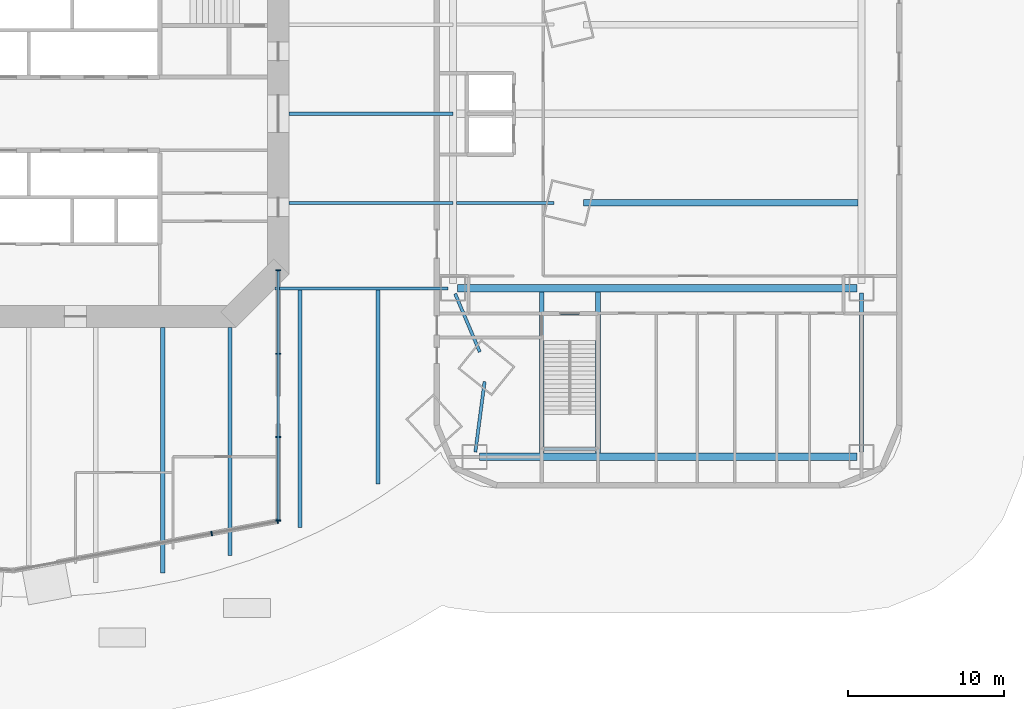
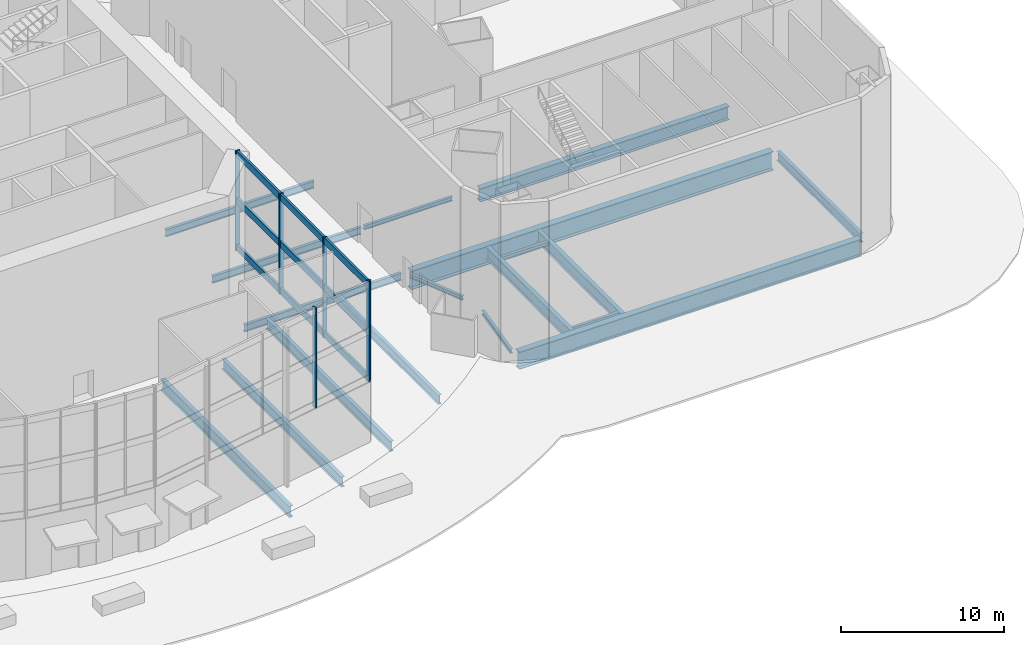
# One storey, part 6 of 23: 18 beams, 9 members, 2 elements without a shape of their own.
"""IFC4 building model written with IfcOpenShell, lengths in metres."""

from ifc_helpers import new_model, si_unit, direction, frame, origin, origin_2d, place, context, subcontext, project, spatial, rectangle, i_section, extrude, material, material_profile, profile_set, type_object, element, aggregate, save


model = new_model("IFC4")

# Units and contexts
model_context = context("Model", 3, precision=1e-05, world=origin(), true_north=direction((0.0, 1.0)))
body_context = subcontext(model_context, "Body", "Model", "MODEL_VIEW")
ifc_project = project(units=[si_unit("LENGTHUNIT", "METRE"), si_unit("AREAUNIT", "SQUARE_METRE"), si_unit("VOLUMEUNIT", "CUBIC_METRE"), si_unit("PLANEANGLEUNIT", "RADIAN"), si_unit("MASSUNIT", "GRAM", prefix="KILO")], contexts=[model_context])

# Site, building, storey
site_placement = place(None, origin())
site = spatial("IfcSite", under=ifc_project, at=site_placement, CompositionType="ELEMENT")
building_placement = place(site_placement, origin())
building = spatial("IfcBuilding", under=site, at=building_placement, Name="Marenthal Gate Tower", CompositionType="ELEMENT")
storey_placement = place(building_placement, origin())
storey = spatial("IfcBuildingStorey", under=building, at=storey_placement, Name="L00", CompositionType="ELEMENT", Elevation=0.0)

# Curtain wall, members
ifc_material_1 = material(Name="Aluminium and glass", Category="aluminium")
curtain_wall_type = type_object("IfcCurtainWallType", Name="Curtain wall arch infill", PredefinedType="NOTDEFINED", material=ifc_material_1)
curtain_wall_1_placement = place(storey_placement, origin())
curtain_wall_1 = element("IfcCurtainWall", 1, at=curtain_wall_1_placement, inside=storey, type_object=curtain_wall_type, Name="Curtain wall L00 arch S4", PredefinedType="NOTDEFINED")
ifc_material_2 = material(Name="Aluminium", Category="aluminium")
ifc_material_profile_1 = material_profile(ifc_material_2, rectangle(XDim=0.300048828125, YDim=0.080078125, at=origin_2d()), Name="80x300 aluminium mullion")
ifc_profile_set_1 = profile_set([ifc_material_profile_1], Name="Aluminium")
member_type_1 = type_object("IfcMemberType", Name="Mullion 80x300 arch infill", PredefinedType="MULLION", material=ifc_profile_set_1)
member_1_placement = place(storey_placement, frame((11.730224609375, -26.913818359375, 4.5), z_axis=(0.0, 0.0, 1.0), x_axis=(-0.183356787375, 0.983046432537, 0.0)))
member_1 = element("IfcMember", 2, at=member_1_placement, type_object=member_type_1, Name="Mullion L00 arch S4.4", PredefinedType="MULLION", context=body_context, shape_type="SweptSolid", body=[
    extrude(rectangle(XDim=0.300048828125, YDim=0.080078125, at=origin_2d()), origin(), (0.0, 0.0, 1.0), 7.5),
])
member_2_placement = place(storey_placement, frame((15.960693359375, -26.124755859375, 4.5), z_axis=(0.0, 0.0, 1.0), x_axis=(-0.183356787375, 0.983046432537, 0.0)))
member_2 = element("IfcMember", 3, at=member_2_placement, type_object=member_type_1, Name="Mullion L00 arch S4.5", PredefinedType="MULLION", context=body_context, shape_type="SweptSolid", body=[
    extrude(rectangle(XDim=0.300048828125, YDim=0.080078125, at=origin_2d()), origin(), (0.0, 0.0, 1.0), 7.5),
])
aggregate(curtain_wall_1, [member_1, member_2])

curtain_wall_2_placement = place(storey_placement, origin())
curtain_wall_2 = element("IfcCurtainWall", 4, at=curtain_wall_2_placement, inside=storey, type_object=curtain_wall_type, Name="Curtain wall L00 hall SE1", PredefinedType="NOTDEFINED")
member_3_placement = place(storey_placement, frame((16.0, -10.0400390625, 4.5), z_axis=(0.0, 0.0, 1.0), x_axis=(1.0, 0.0, 0.0)))
member_3 = element("IfcMember", 5, at=member_3_placement, type_object=member_type_1, Name="Mullion L00 hall SE1.1", PredefinedType="MULLION", context=body_context, shape_type="SweptSolid", body=[
    extrude(rectangle(XDim=0.300048828125, YDim=0.080078125, at=origin_2d()), origin(), (0.0, 0.0, 1.0), 7.5),
])
member_4_placement = place(storey_placement, frame((16.0, -15.3857421875, 4.5), z_axis=(0.0, 0.0, 1.0), x_axis=(1.0, 0.0, 0.0)))
member_4 = element("IfcMember", 6, at=member_4_placement, type_object=member_type_1, Name="Mullion L00 hall SE1.2", PredefinedType="MULLION", context=body_context, shape_type="SweptSolid", body=[
    extrude(rectangle(XDim=0.300048828125, YDim=0.080078125, at=origin_2d()), origin(), (0.0, 0.0, 1.0), 7.5),
])
member_5_placement = place(storey_placement, frame((16.0, -20.731689453125, 4.5), z_axis=(0.0, 0.0, 1.0), x_axis=(1.0, 0.0, 0.0)))
member_5 = element("IfcMember", 7, at=member_5_placement, type_object=member_type_1, Name="Mullion L00 hall SE1.3", PredefinedType="MULLION", context=body_context, shape_type="SweptSolid", body=[
    extrude(rectangle(XDim=0.300048828125, YDim=0.080078125, at=origin_2d()), origin(), (0.0, 0.0, 1.0), 7.5),
])
member_6_placement = place(storey_placement, frame((16.0, -26.077392578125, 4.5), z_axis=(0.0, 0.0, 1.0), x_axis=(1.0, 0.0, 0.0)))
member_6 = element("IfcMember", 8, at=member_6_placement, type_object=member_type_1, Name="Mullion L00 hall SE1.4", PredefinedType="MULLION", context=body_context, shape_type="SweptSolid", body=[
    extrude(rectangle(XDim=0.300048828125, YDim=0.080078125, at=origin_2d()), origin(), (0.0, 0.0, 1.0), 7.5),
])

# Beams
ifc_material_3 = material(Name="Steel S355", Category="steel")
ifc_material_profile_2 = material_profile(ifc_material_3, i_section(OverallWidth=0.419921875, OverallDepth=1.0, WebThickness=0.02001953125, FlangeThickness=0.035888671875, at=origin_2d()), Name="PLATE GIRDER 1000X420X20X36")
ifc_profile_set_2 = profile_set([ifc_material_profile_2], Name="Steel S355")
beam_type_1 = type_object("IfcBeamType", Name="PLATE GIRDER 1000X420X20X36 beam", PredefinedType="BEAM", material=ifc_profile_set_2)
beam_1_placement = place(storey_placement, frame((35.561279296875, -5.716064453125, -0.75), z_axis=(1.0, 0.0, 0.0), x_axis=(0.0, 1.0, 0.0)))
element("IfcBeam", 9, at=beam_1_placement, inside=storey, type_object=beam_type_1, Name="BM-L00-108", PredefinedType="BEAM", context=body_context, shape_type="SweptSolid", body=[
    extrude(i_section(OverallWidth=0.419921875, OverallDepth=1.0, WebThickness=0.02001953125, FlangeThickness=0.035888671875, at=origin_2d()), origin(), (0.0, 0.0, 1.0), 17.61376953125),
])
ifc_material_4 = material(Name="Steel S355", Category="steel")
ifc_material_profile_3 = material_profile(ifc_material_4, i_section(OverallWidth=0.4599609375, OverallDepth=1.300048828125, WebThickness=0.02490234375, FlangeThickness=0.044921875, at=origin_2d()), Name="PLATE GIRDER 1300X460X25X45")
ifc_profile_set_3 = profile_set([ifc_material_profile_3], Name="Steel S355")
beam_type_2 = type_object("IfcBeamType", Name="PLATE GIRDER 1300X460X25X45 beam", PredefinedType="BEAM", material=ifc_profile_set_3)
beam_2_placement = place(storey_placement, frame((28.89990234375, -22.0, -0.89990234375), z_axis=(1.0, 0.0, 0.0), x_axis=(0.0, 1.0, 0.0)))
element("IfcBeam", 10, at=beam_2_placement, inside=storey, type_object=beam_type_2, Name="BM-L00-105", PredefinedType="BEAM", context=body_context, shape_type="SweptSolid", body=[
    extrude(i_section(OverallWidth=0.4599609375, OverallDepth=1.300048828125, WebThickness=0.02490234375, FlangeThickness=0.044921875, at=origin_2d()), origin(), (0.0, 0.0, 1.0), 24.2001953125),
])
ifc_material_5 = material(Name="Steel S355", Category="steel")
ifc_material_profile_4 = material_profile(ifc_material_5, i_section(OverallWidth=0.47998046875, OverallDepth=1.39990234375, WebThickness=0.02490234375, FlangeThickness=0.044921875, at=origin_2d()), Name="PLATE GIRDER 1400X480X25X45")
ifc_profile_set_4 = profile_set([ifc_material_profile_4], Name="Steel S355")
beam_type_3 = type_object("IfcBeamType", Name="PLATE GIRDER 1400X480X25X45 beam", PredefinedType="BEAM", material=ifc_profile_set_4)
beam_3_placement = place(storey_placement, frame((27.5, -11.199951171875, -0.949951171875), z_axis=(1.0, 0.0, 0.0), x_axis=(0.0, 1.0, 0.0)))
element("IfcBeam", 11, at=beam_3_placement, inside=storey, type_object=beam_type_3, Name="BM-L00-106", PredefinedType="BEAM", context=body_context, shape_type="SweptSolid", body=[
    extrude(i_section(OverallWidth=0.47998046875, OverallDepth=1.39990234375, WebThickness=0.02490234375, FlangeThickness=0.044921875, at=origin_2d()), origin(), (0.0, 0.0, 1.0), 25.60009765625),
])

# Member
ifc_material_6 = material(Name="Aluminium", Category="aluminium")
ifc_material_profile_5 = material_profile(ifc_material_6, rectangle(XDim=0.159912109375, YDim=0.5, at=origin_2d()), Name="160x500 aluminium transom")
ifc_profile_set_5 = profile_set([ifc_material_profile_5], Name="Aluminium")
member_type_2 = type_object("IfcMemberType", Name="Transom 160x500 arch infill", PredefinedType="USERDEFINED", material=ifc_profile_set_5)
member_7_placement = place(storey_placement, frame((16.0, -10.080078125, 4.75), z_axis=(0.0, -1.0, 0.0), x_axis=(1.0, 0.0, 0.0)))
member_7 = element("IfcMember", 12, at=member_7_placement, type_object=member_type_2, Name="Transom L00 hall SE1.1", ObjectType="TRANSOM", PredefinedType="USERDEFINED", context=body_context, shape_type="SweptSolid", body=[
    extrude(rectangle(XDim=0.159912109375, YDim=0.5, at=origin_2d()), origin(), (0.0, 0.0, 1.0), 15.957275390625),
])

member_8_placement = place(storey_placement, frame((16.0, -10.080078125, 8.25), z_axis=(0.0, -1.0, 0.0), x_axis=(1.0, 0.0, 0.0)))
member_8 = element("IfcMember", 13, at=member_8_placement, type_object=member_type_2, Name="Transom L00 hall SE1.2", ObjectType="TRANSOM", PredefinedType="USERDEFINED", context=body_context, shape_type="SweptSolid", body=[
    extrude(rectangle(XDim=0.159912109375, YDim=0.5, at=origin_2d()), origin(), (0.0, 0.0, 1.0), 15.957275390625),
])

member_9_placement = place(storey_placement, frame((16.0, -10.080078125, 11.75), z_axis=(0.0, -1.0, 0.0), x_axis=(1.0, 0.0, 0.0)))
member_9 = element("IfcMember", 14, at=member_9_placement, type_object=member_type_2, Name="Transom L00 hall SE1.3", ObjectType="TRANSOM", PredefinedType="USERDEFINED", context=body_context, shape_type="SweptSolid", body=[
    extrude(rectangle(XDim=0.159912109375, YDim=0.5, at=origin_2d()), origin(), (0.0, 0.0, 1.0), 15.957275390625),
])

aggregate(curtain_wall_2, [member_3, member_4, member_5, member_6, member_7, member_8, member_9])

# Beams
ifc_material_7 = material(Name="Steel S355", Category="steel")
ifc_material_profile_6 = material_profile(ifc_material_7, i_section(OverallWidth=0.202880859375, OverallDepth=0.302001953125, WebThickness=0.007568359375, FlangeThickness=0.01318359375, FilletRadius=0.0126953125, at=origin_2d()), Name="W310X60")
ifc_profile_set_6 = profile_set([ifc_material_profile_6], Name="Steel S355")
beam_type_4 = type_object("IfcBeamType", Name="W310X60 beam", PredefinedType="BEAM", material=ifc_profile_set_6)
beam_4_placement = place(storey_placement, frame((27.425048828125, -5.716064453125, -0.40087890625), z_axis=(1.0, 0.0, 0.0), x_axis=(0.0, 1.0, 0.0)))
element("IfcBeam", 15, at=beam_4_placement, inside=storey, type_object=beam_type_4, Name="BM-L00-107", PredefinedType="BEAM", context=body_context, shape_type="SweptSolid", body=[
    extrude(i_section(OverallWidth=0.202880859375, OverallDepth=0.302001953125, WebThickness=0.007568359375, FlangeThickness=0.01318359375, FilletRadius=0.0126953125, at=origin_2d()), origin(), (0.0, 0.0, 1.0), 6.2568359375),
])
beam_5_placement = place(storey_placement, frame((27.34375, -11.53955078125, -0.40087890625), z_axis=(0.390030578719, -0.920801904681, 0.0), x_axis=(0.920801904681, 0.390030578719, 0.0)))
element("IfcBeam", 16, at=beam_5_placement, inside=storey, type_object=beam_type_4, Name="BM-L00-116", PredefinedType="BEAM", context=body_context, shape_type="SweptSolid", body=[
    extrude(i_section(OverallWidth=0.202880859375, OverallDepth=0.302001953125, WebThickness=0.007568359375, FlangeThickness=0.01318359375, FilletRadius=0.0126953125, at=origin_2d()), origin(), (0.0, 0.0, 1.0), 4.057373046875),
])
beam_6_placement = place(storey_placement, frame((29.233154296875, -17.17578125, -0.40087890625), z_axis=(-0.130135880417, -0.991496168741, 0.0), x_axis=(0.991496168741, -0.130135880417, 0.0)))
element("IfcBeam", 17, at=beam_6_placement, inside=storey, type_object=beam_type_4, Name="BM-L00-117", PredefinedType="BEAM", context=body_context, shape_type="SweptSolid", body=[
    extrude(i_section(OverallWidth=0.202880859375, OverallDepth=0.302001953125, WebThickness=0.007568359375, FlangeThickness=0.01318359375, FilletRadius=0.0126953125, at=origin_2d()), origin(), (0.0, 0.0, 1.0), 4.558837890625),
])
for number, where, z_axis, x_axis, name in (
    (18, (33.054931640625, -12.804931640625, -0.40087890625), (1.0, 0.0, 0.0), (0.0, 1.0, 0.0), "BM-L00-173"),
    (19, (33.054931640625, -21.4951171875, -0.40087890625), (1.0, 0.0, 0.0), (0.0, 1.0, 0.0), "BM-L00-174"),
):
    element("IfcBeam", number, at=place(storey_placement, frame(where, z_axis=z_axis, x_axis=x_axis)), inside=storey, type_object=beam_type_4, Name=name, PredefinedType="BEAM", context=body_context, shape_type="SweptSolid", body=[
        extrude(i_section(OverallWidth=0.202880859375, OverallDepth=0.302001953125, WebThickness=0.007568359375, FlangeThickness=0.01318359375, FilletRadius=0.0126953125, at=origin_2d()), origin(), (0.0, 0.0, 1.0), 3.2900390625),
    ])
ifc_material_8 = material(Name="Steel S355", Category="steel")
ifc_material_profile_7 = material_profile(ifc_material_8, i_section(OverallWidth=0.2099609375, OverallDepth=0.535888671875, WebThickness=0.010986328125, FlangeThickness=0.017333984375, FilletRadius=0.0126953125, at=origin_2d()), Name="W530X101")
ifc_profile_set_7 = profile_set([ifc_material_profile_7], Name="Steel S355")
beam_type_5 = type_object("IfcBeamType", Name="W530X101 beam", PredefinedType="BEAM", material=ifc_profile_set_7)
for number, where, z_axis, x_axis, name in (
    (20, (16.699951171875, 0.0, -0.51806640625), (1.0, 0.0, 0.0), (0.0, 1.0, 0.0), "BM-L00-135"),
    (21, (16.699951171875, -5.716064453125, -0.51806640625), (1.0, 0.0, 0.0), (0.0, 1.0, 0.0), "BM-L00-139"),
):
    element("IfcBeam", number, at=place(storey_placement, frame(where, z_axis=z_axis, x_axis=x_axis)), inside=storey, type_object=beam_type_5, Name=name, PredefinedType="BEAM", context=body_context, shape_type="SweptSolid", body=[
        extrude(i_section(OverallWidth=0.2099609375, OverallDepth=0.535888671875, WebThickness=0.010986328125, FlangeThickness=0.017333984375, FilletRadius=0.0126953125, at=origin_2d()), origin(), (0.0, 0.0, 1.0), 10.5),
    ])
beam_7_placement = place(storey_placement, frame((15.7900390625, -11.199951171875, -0.51806640625), z_axis=(1.0, 0.0, 0.0), x_axis=(0.0, 1.0, 0.0)))
element("IfcBeam", 22, at=beam_7_placement, inside=storey, type_object=beam_type_5, Name="BM-L00-143", PredefinedType="BEAM", context=body_context, shape_type="SweptSolid", body=[
    extrude(i_section(OverallWidth=0.2099609375, OverallDepth=0.535888671875, WebThickness=0.010986328125, FlangeThickness=0.017333984375, FilletRadius=0.0126953125, at=origin_2d()), origin(), (0.0, 0.0, 1.0), 11.10986328125),
])
ifc_material_9 = material(Name="Steel S355", Category="steel")
ifc_material_profile_8 = material_profile(ifc_material_9, i_section(OverallWidth=0.25390625, OverallDepth=0.68310546875, WebThickness=0.012451171875, FlangeThickness=0.018798828125, FilletRadius=0.01513671875, at=origin_2d()), Name="W690X140")
ifc_profile_set_8 = profile_set([ifc_material_profile_8], Name="Steel S355")
beam_type_6 = type_object("IfcBeamType", Name="W690X140 beam", PredefinedType="BEAM", material=ifc_profile_set_8)
beam_8_placement = place(storey_placement, frame((53.39990234375, -21.699951171875, -0.591552734375), z_axis=(0.0, 1.0, 0.0), x_axis=(-1.0, 0.0, 0.0)))
element("IfcBeam", 23, at=beam_8_placement, inside=storey, type_object=beam_type_6, Name="BM-L00-101", PredefinedType="BEAM", context=body_context, shape_type="SweptSolid", body=[
    extrude(i_section(OverallWidth=0.25390625, OverallDepth=0.68310546875, WebThickness=0.012451171875, FlangeThickness=0.018798828125, FilletRadius=0.01513671875, at=origin_2d()), origin(), (0.0, 0.0, 1.0), 10.199951171875),
])
beam_9_placement = place(storey_placement, frame((22.39990234375, -11.304931640625, -0.591552734375), z_axis=(0.0, -1.0, 0.0), x_axis=(1.0, 0.0, 0.0)))
element("IfcBeam", 24, at=beam_9_placement, inside=storey, type_object=beam_type_6, Name="BM-L00-162", PredefinedType="BEAM", context=body_context, shape_type="SweptSolid", body=[
    extrude(i_section(OverallWidth=0.25390625, OverallDepth=0.68310546875, WebThickness=0.012451171875, FlangeThickness=0.018798828125, FilletRadius=0.01513671875, at=origin_2d()), origin(), (0.0, 0.0, 1.0), 12.435302734375),
])
ifc_material_10 = material(Name="Steel S355", Category="steel")
ifc_material_profile_9 = material_profile(ifc_material_10, i_section(OverallWidth=0.26708984375, OverallDepth=0.75390625, WebThickness=0.01318359375, FlangeThickness=0.01708984375, FilletRadius=0.0166015625, at=origin_2d()), Name="W760X147")
ifc_profile_set_9 = profile_set([ifc_material_profile_9], Name="Steel S355")
beam_type_7 = type_object("IfcBeamType", Name="W760X147 beam", PredefinedType="BEAM", material=ifc_profile_set_9)
beam_10_placement = place(storey_placement, frame((12.89990234375, -13.699951171875, -0.626953125), z_axis=(0.0, -1.0, 0.0), x_axis=(1.0, 0.0, 0.0)))
element("IfcBeam", 25, at=beam_10_placement, inside=storey, type_object=beam_type_7, Name="BM-L00-158", PredefinedType="BEAM", context=body_context, shape_type="SweptSolid", body=[
    extrude(i_section(OverallWidth=0.26708984375, OverallDepth=0.75390625, WebThickness=0.01318359375, FlangeThickness=0.01708984375, FilletRadius=0.0166015625, at=origin_2d()), origin(), (0.0, 0.0, 1.0), 14.642333984375),
])
ifc_material_11 = material(Name="Steel S355", Category="steel")
ifc_material_profile_10 = material_profile(ifc_material_11, i_section(OverallWidth=0.26708984375, OverallDepth=0.761962890625, WebThickness=0.014404296875, FlangeThickness=0.021484375, FilletRadius=0.0166015625, at=origin_2d()), Name="W760X173")
ifc_profile_set_10 = profile_set([ifc_material_profile_10], Name="Steel S355")
beam_type_8 = type_object("IfcBeamType", Name="W760X173 beam", PredefinedType="BEAM", material=ifc_profile_set_10)
beam_11_placement = place(storey_placement, frame((17.39990234375, -11.304931640625, -0.631103515625), z_axis=(0.0, -1.0, 0.0), x_axis=(1.0, 0.0, 0.0)))
element("IfcBeam", 26, at=beam_11_placement, inside=storey, type_object=beam_type_8, Name="BM-L00-160", PredefinedType="BEAM", context=body_context, shape_type="SweptSolid", body=[
    extrude(i_section(OverallWidth=0.26708984375, OverallDepth=0.761962890625, WebThickness=0.014404296875, FlangeThickness=0.021484375, FilletRadius=0.0166015625, at=origin_2d()), origin(), (0.0, 0.0, 1.0), 15.227783203125),
])
ifc_material_12 = material(Name="Steel S355", Category="steel")
ifc_material_profile_11 = material_profile(ifc_material_12, i_section(OverallWidth=0.2919921875, OverallDepth=0.841064453125, WebThickness=0.0146484375, FlangeThickness=0.021728515625, FilletRadius=0.017822265625, at=origin_2d()), Name="W840X193")
ifc_profile_set_11 = profile_set([ifc_material_profile_11], Name="Steel S355")
beam_type_9 = type_object("IfcBeamType", Name="W840X193 beam", PredefinedType="BEAM", material=ifc_profile_set_11)
beam_12_placement = place(storey_placement, frame((8.60009765625, -13.699951171875, -0.67041015625), z_axis=(0.0, -1.0, 0.0), x_axis=(1.0, 0.0, 0.0)))
element("IfcBeam", 27, at=beam_12_placement, inside=storey, type_object=beam_type_9, Name="BM-L00-156", PredefinedType="BEAM", context=body_context, shape_type="SweptSolid", body=[
    extrude(i_section(OverallWidth=0.2919921875, OverallDepth=0.841064453125, WebThickness=0.0146484375, FlangeThickness=0.021728515625, FilletRadius=0.017822265625, at=origin_2d()), origin(), (0.0, 0.0, 1.0), 15.735107421875),
])
ifc_material_13 = material(Name="Steel S355", Category="steel")
ifc_material_profile_12 = material_profile(ifc_material_13, i_section(OverallWidth=0.304931640625, OverallDepth=0.904052734375, WebThickness=0.01513671875, FlangeThickness=0.02001953125, FilletRadius=0.01904296875, at=origin_2d()), Name="W920X201")
ifc_profile_set_12 = profile_set([ifc_material_profile_12], Name="Steel S355")
beam_type_10 = type_object("IfcBeamType", Name="W920X201 beam", PredefinedType="BEAM", material=ifc_profile_set_12)
for number, where, z_axis, x_axis, name in (
    (28, (32.902587890625, -11.43994140625, -0.701904296875), (0.0, -1.0, 0.0), (1.0, 0.0, 0.0), "BM-L00-171"),
    (29, (36.49755859375, -11.43994140625, -0.701904296875), (0.0, -1.0, 0.0), (1.0, 0.0, 0.0), "BM-L00-172"),
):
    element("IfcBeam", number, at=place(storey_placement, frame(where, z_axis=z_axis, x_axis=x_axis)), inside=storey, type_object=beam_type_10, Name=name, PredefinedType="BEAM", context=body_context, shape_type="SweptSolid", body=[
        extrude(i_section(OverallWidth=0.304931640625, OverallDepth=0.904052734375, WebThickness=0.01513671875, FlangeThickness=0.02001953125, FilletRadius=0.01904296875, at=origin_2d()), origin(), (0.0, 0.0, 1.0), 10.330078125),
    ])

save(model, "model.ifc")
